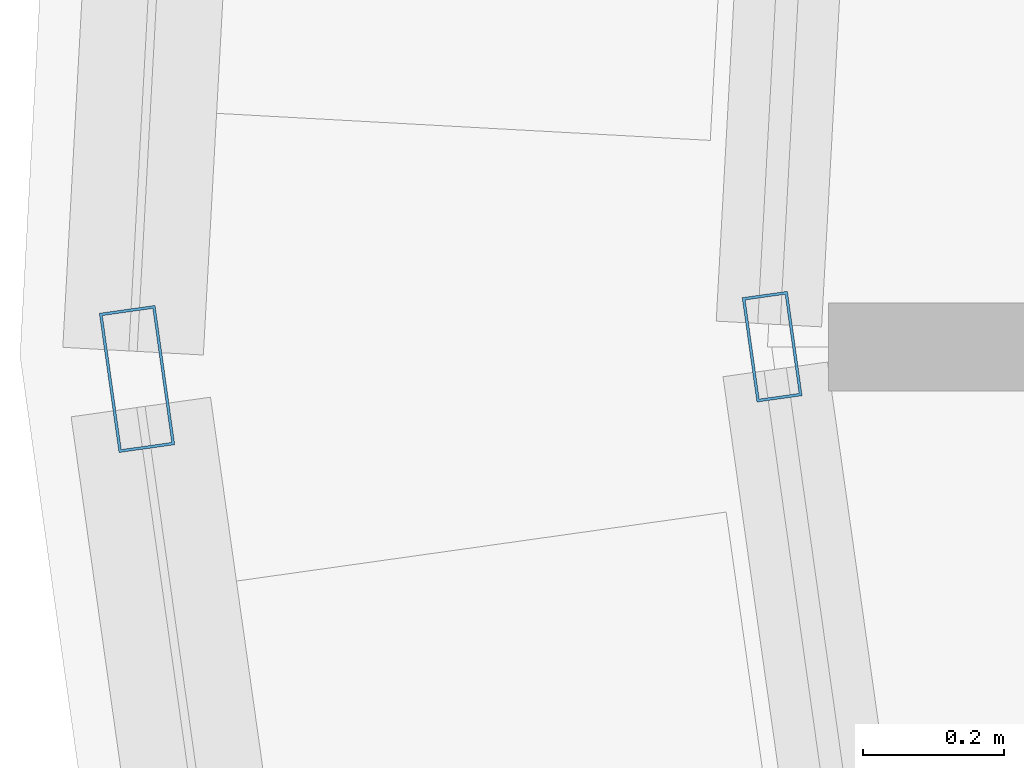
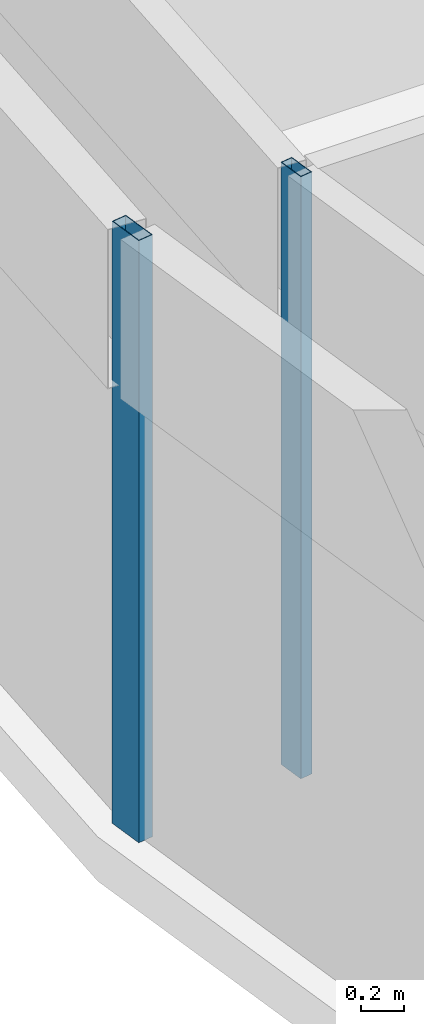
# One storey, part 4 of 38: 2 members, 2 elements without a shape of their own.
"""IFC4 building model written with IfcOpenShell, lengths in metres."""

from ifc_helpers import new_model, si_unit, direction, frame, origin, origin_2d, place, context, subcontext, project, spatial, hollow_rectangle, extrude, material, material_profile, profile_set, type_object, element, aggregate, save


model = new_model("IFC4")

# Units and contexts
model_context = context("Model", 3, precision=1e-05, world=origin(), true_north=direction((0.0, 1.0)))
body_context = subcontext(model_context, "Body", "Model", "MODEL_VIEW")
ifc_project = project(units=[si_unit("LENGTHUNIT", "METRE"), si_unit("AREAUNIT", "SQUARE_METRE"), si_unit("VOLUMEUNIT", "CUBIC_METRE"), si_unit("PLANEANGLEUNIT", "RADIAN"), si_unit("MASSUNIT", "GRAM", prefix="KILO")], contexts=[model_context])

# Site, building, storey
site_placement = place(None, origin())
site = spatial("IfcSite", under=ifc_project, at=site_placement, CompositionType="ELEMENT")
building_placement = place(site_placement, origin())
building = spatial("IfcBuilding", under=site, at=building_placement, Name="Rekha Terrace Tower", CompositionType="ELEMENT")
storey_placement = place(building_placement, frame((0.0, 0.0, 159.050048828125)))
storey = spatial("IfcBuildingStorey", under=building, at=storey_placement, Name="L40", CompositionType="ELEMENT", Elevation=159.050048828125)

# Curtain wall, member
ifc_material_1 = material(Name="Aluminium framing", Category="aluminium")
curtain_wall_type_1 = type_object("IfcCurtainWallType", Name="CW1 double skin inner glazing", PredefinedType="USERDEFINED", material=ifc_material_1)
curtain_wall_1_placement = place(storey_placement, origin())
curtain_wall_1 = element("IfcCurtainWall", 1, at=curtain_wall_1_placement, inside=storey, type_object=curtain_wall_type_1, Name="CW1 double skin inner glazing", ObjectType="DOUBLE SKIN INNER GLAZING", PredefinedType="USERDEFINED")
ifc_material_2 = material(Name="Aluminium mullion section", Category="aluminium")
ifc_material_profile_1 = material_profile(ifc_material_2, hollow_rectangle(XDim=0.06494140625, YDim=0.14990234375, WallThickness=0.00390625, at=origin_2d()), Name="AL RHS 65x150")
ifc_profile_set_1 = profile_set([ifc_material_profile_1], Name="Aluminium mullion section")
member_type_1 = type_object("IfcMemberType", Name="CW1 mullion RHS 65 x 150", PredefinedType="MULLION", material=ifc_profile_set_1)
member_1_placement = place(storey_placement, frame((5.86865234375, 27.78125, 0.0), z_axis=(0.0, 0.0, 1.0), x_axis=(0.990208394317, 0.139597048047, 0.0)))
member_1 = element("IfcMember", 2, at=member_1_placement, type_object=member_type_1, Name="CW1 mullion 1", PredefinedType="MULLION", context=body_context, shape_type="SweptSolid", body=[
    extrude(hollow_rectangle(XDim=0.06494140625, YDim=0.14990234375, WallThickness=0.00390625, at=origin_2d()), origin(), (0.0, 0.0, 1.0), 3.39990234375),
])
aggregate(curtain_wall_1, [member_1])

curtain_wall_type_2 = type_object("IfcCurtainWallType", Name="CW2 double skin outer glazing", PredefinedType="USERDEFINED", material=ifc_material_1)
curtain_wall_2_placement = place(storey_placement, origin())
curtain_wall_2 = element("IfcCurtainWall", 3, at=curtain_wall_2_placement, inside=storey, type_object=curtain_wall_type_2, Name="CW2 double skin outer glazing", ObjectType="DOUBLE SKIN OUTER GLAZING", PredefinedType="USERDEFINED")
ifc_material_profile_2 = material_profile(ifc_material_2, hollow_rectangle(XDim=0.080078125, YDim=0.199951171875, WallThickness=0.00390625, at=origin_2d()), Name="AL RHS 80x200")
ifc_profile_set_2 = profile_set([ifc_material_profile_2], Name="Aluminium mullion section")
member_type_2 = type_object("IfcMemberType", Name="CW2 mullion RHS 80 x 200", PredefinedType="MULLION", material=ifc_profile_set_2)
member_2_placement = place(storey_placement, frame((4.96630859375, 27.7353515625, 0.0), z_axis=(0.0, 0.0, 1.0), x_axis=(0.990208394312, 0.139597048082, 0.0)))
member_2 = element("IfcMember", 4, at=member_2_placement, type_object=member_type_2, Name="CW2 mullion 1", PredefinedType="MULLION", context=body_context, shape_type="SweptSolid", body=[
    extrude(hollow_rectangle(XDim=0.080078125, YDim=0.199951171875, WallThickness=0.00390625, at=origin_2d()), origin(), (0.0, 0.0, 1.0), 3.39990234375),
])
aggregate(curtain_wall_2, [member_2])

save(model, "model.ifc")
